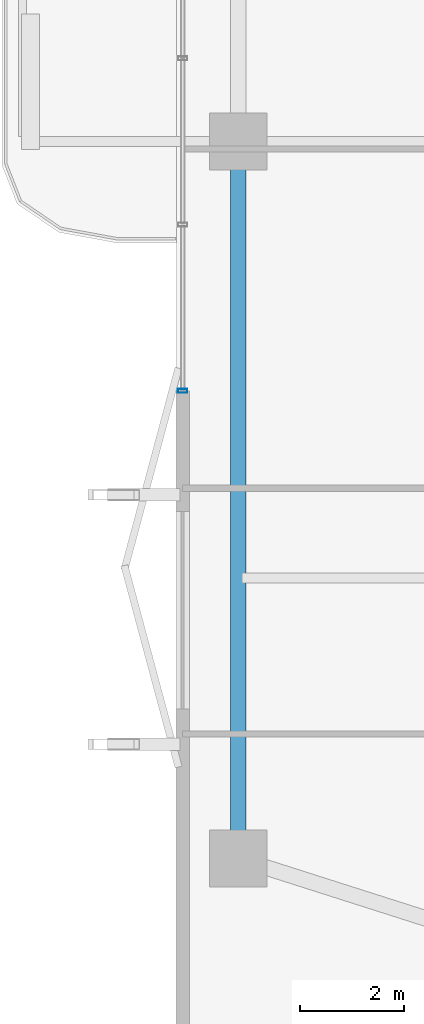
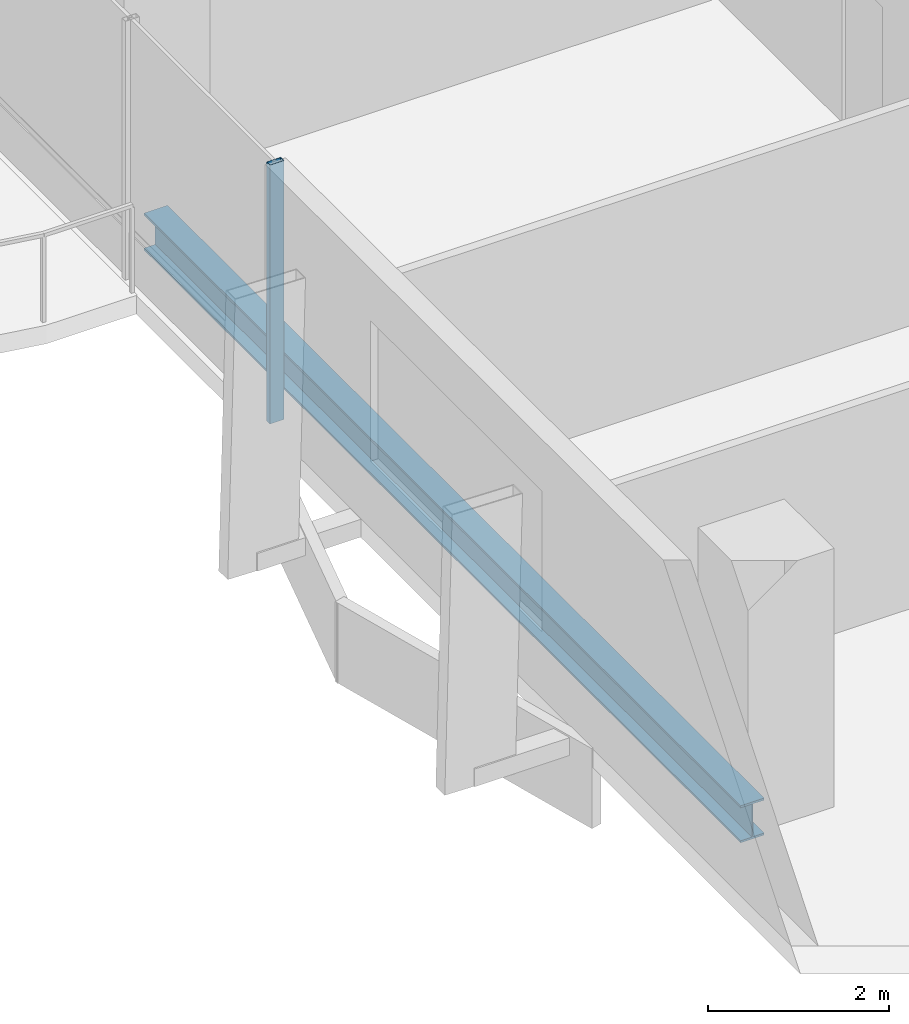
# One storey, part 4 of 25: 1 beam, 1 member, 1 element without a shape of its own.
"""IFC4 building model written with IfcOpenShell, lengths in metres."""

from ifc_helpers import new_model, si_unit, direction, frame, origin, origin_2d, place, context, subcontext, project, spatial, hollow_rectangle, i_section, extrude, material, layer, layer_set, material_profile, profile_set, type_object, element, aggregate, save


model = new_model("IFC4")

# Units and contexts
model_context = context("Model", 3, precision=1e-05, world=origin(), true_north=direction((0.0, 1.0)))
body_context = subcontext(model_context, "Body", "Model", "MODEL_VIEW")
ifc_project = project(units=[si_unit("LENGTHUNIT", "METRE"), si_unit("AREAUNIT", "SQUARE_METRE"), si_unit("VOLUMEUNIT", "CUBIC_METRE"), si_unit("PLANEANGLEUNIT", "RADIAN"), si_unit("MASSUNIT", "GRAM", prefix="KILO")], contexts=[model_context])

# Site, building, storey
site_placement = place(None, origin())
site = spatial("IfcSite", under=ifc_project, at=site_placement, CompositionType="ELEMENT")
building_placement = place(site_placement, origin())
building = spatial("IfcBuilding", under=site, at=building_placement, Name="Belovzor Exchange Tower", CompositionType="ELEMENT")
storey_placement = place(building_placement, frame((0.0, 0.0, 160.800048828125)))
storey = spatial("IfcBuildingStorey", under=building, at=storey_placement, Name="L39", CompositionType="ELEMENT", Elevation=160.800048828125)

# Curtain wall, member
ifc_material_1 = material(Name="Anodised Aluminium Framing", Category="aluminium")
ifc_layer = layer(ifc_material_1, 0.179931640625)
ifc_layer_set = layer_set([ifc_layer], Name="Anodised Aluminium Framing")
curtain_wall_type = type_object("IfcCurtainWallType", Name="Recessed Loggia Low-Iron Triple-Glazed Curtain Wall", PredefinedType="NOTDEFINED", material=ifc_layer_set)
curtain_wall_placement = place(storey_placement, origin())
curtain_wall = element("IfcCurtainWall", 1, at=curtain_wall_placement, inside=storey, type_object=curtain_wall_type, Name="CW3 Recessed Loggia Low-Iron Triple-Glazed Curtain Wall L39", PredefinedType="NOTDEFINED")
ifc_material_2 = material(Name="Steel S355", Category="steel")
ifc_material_profile_1 = material_profile(ifc_material_2, hollow_rectangle(XDim=0.074951171875, YDim=0.179931640625, WallThickness=0.0048828125, at=origin_2d()))
ifc_profile_set_1 = profile_set([ifc_material_profile_1], Name="Steel S355")
member_type = type_object("IfcMemberType", Name="Thermally Broken Curtain Wall Mullion 180x75", PredefinedType="MULLION", material=ifc_profile_set_1)
member_placement = place(storey_placement, frame((4.6298828125, 24.0, 0.0), z_axis=(0.0, 0.0, 1.0), x_axis=(0.0, 1.0, 0.0)))
member = element("IfcMember", 2, at=member_placement, type_object=member_type, Name="CW-M180 Curtain Wall Mullion 1", PredefinedType="MULLION", context=body_context, shape_type="SweptSolid", body=[
    extrude(hollow_rectangle(XDim=0.074951171875, YDim=0.179931640625, WallThickness=0.0048828125, at=origin_2d()), origin(), (0.0, 0.0, 1.0), 3.494873046875),
])
aggregate(curtain_wall, [member])

# Beam
ifc_material_3 = material(Name="Steel S355", Category="steel")
ifc_material_profile_2 = material_profile(ifc_material_3, i_section(OverallWidth=0.300048828125, OverallDepth=0.5, WebThickness=0.014404296875, FlangeThickness=0.028076171875, at=origin_2d()))
ifc_profile_set_2 = profile_set([ifc_material_profile_2], Name="Steel S355")
beam_type = type_object("IfcBeamType", Name="Zone 3 Waist Primary Girder HEB 500", PredefinedType="BEAM", material=ifc_profile_set_2)
beam_placement = place(storey_placement, frame((5.699951171875, 28.498046875, -0.505126953125), z_axis=(0.0, -1.0, 0.0), x_axis=(1.0, 0.0, 0.0)))
element("IfcBeam", 3, at=beam_placement, inside=storey, type_object=beam_type, Name="FG-Z3 Zone 3 Waist Primary Girder HEB 500", PredefinedType="BEAM", context=body_context, shape_type="SweptSolid", body=[
    extrude(i_section(OverallWidth=0.300048828125, OverallDepth=0.5, WebThickness=0.014404296875, FlangeThickness=0.028076171875, at=origin_2d()), origin(), (0.0, 0.0, 1.0), 13.195068359375),
])

save(model, "model.ifc")
